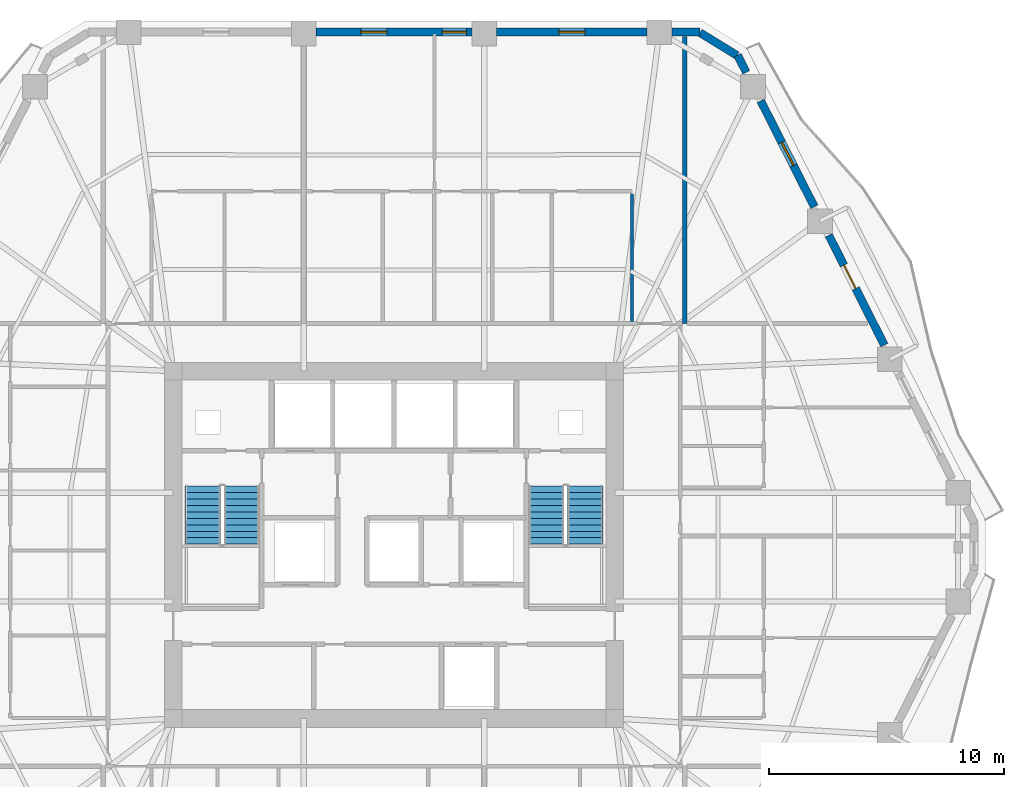
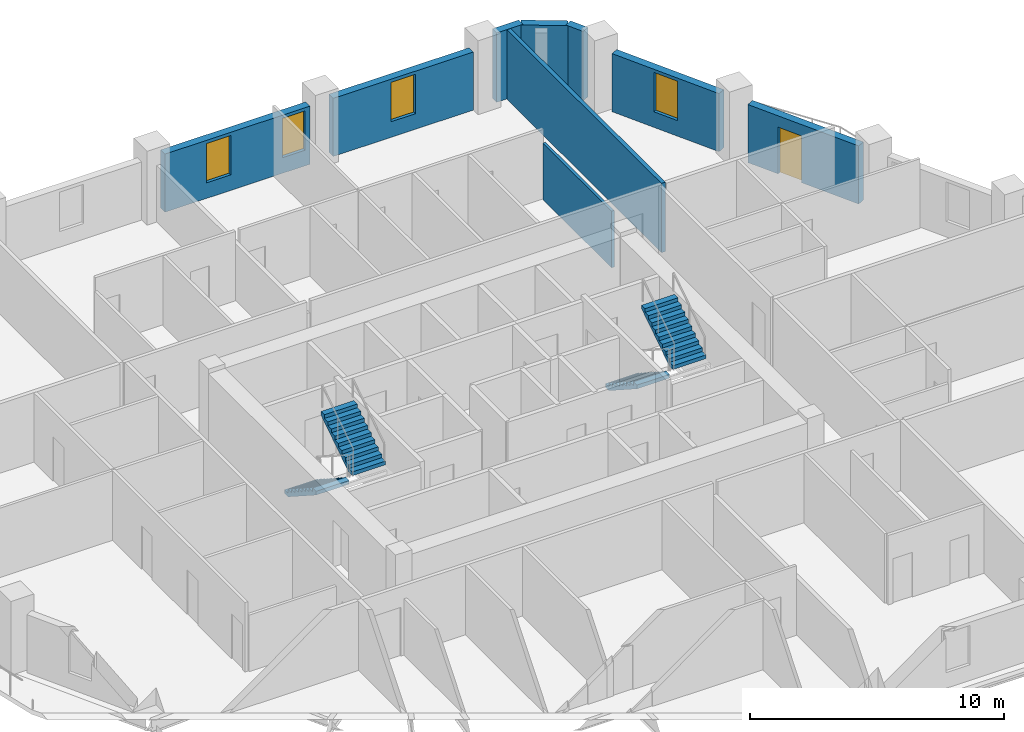
# One storey, part 8 of 11: 9 walls, 4 stair flights, 4 windows, 1 door, 5 openings, 2 elements without a shape of their own.
"""IFC4 building model written with IfcOpenShell, lengths in metres."""

import ifcopenshell
import ifcopenshell.guid

model = None  # the IFC model being written
_history = None  # IfcOwnerHistory: only IFC2X3 demands one
_inside = {}  # id of a spatial element -> (the spatial element, [elements in it])
_under = {}  # id of a project, library or spatial element -> (it, [spatial elements below it])
_declared = {}  # id of a project -> (the project, [libraries it declares])
_typed = {}  # id of a type object -> (the type object, [elements of that type])
_made_of = {}  # id of a material, layer set ... -> (it, [elements and type objects made of it])


def new_model(schema):
    """Start an empty IFC model of exactly this schema.

    Asked for "IFC4X3", IfcOpenShell would pick the latest addendum, in which some entities
    have other attributes; the version numbers below select the first issue.
    IFC2X3 requires an IfcOwnerHistory on every rooted entity: one is made here for all.
    """
    global model, _history
    if schema == "IFC4X3":
        model = ifcopenshell.file(schema_version=(4, 3, 0, 0))
    else:
        model = ifcopenshell.file(schema=schema)
    _inside.clear()
    _under.clear()
    _declared.clear()
    _typed.clear()
    _made_of.clear()
    _history = None
    if model.schema == "IFC2X3":
        org = make("IfcOrganization", Name="unknown")
        user = make(
            "IfcPersonAndOrganization",
            ThePerson=make("IfcPerson", FamilyName="unknown"),
            TheOrganization=org,
        )
        app = make(
            "IfcApplication",
            ApplicationDeveloper=org,
            Version="unknown",
            ApplicationFullName="unknown",
            ApplicationIdentifier="unknown",
        )
        _history = make(
            "IfcOwnerHistory",
            OwningUser=user,
            OwningApplication=app,
            ChangeAction="ADDED",
            CreationDate=0,
        )
    return model


def make(cls, **values):
    """One entity of the class cls with the attributes given. An attribute that is None is left unset."""
    return model.create_entity(
        cls, **{name: value for name, value in values.items() if value is not None}
    )


def rooted(cls, **values):
    """An entity with a GlobalId (a new one), such as an element, a storey or a relation."""
    return make(cls, GlobalId=ifcopenshell.guid.new(), OwnerHistory=_history, **values)


def si_unit(unit_type, name, prefix=None):
    """IfcSIUnit, for example si_unit("LENGTHUNIT", "METRE", prefix="MILLI")."""
    return make("IfcSIUnit", UnitType=unit_type, Prefix=prefix, Name=name)


def assignment(units):
    """IfcUnitAssignment: the units of a project."""
    return None if units is None else make("IfcUnitAssignment", Units=units)


def point(xyz):
    """IfcCartesianPoint."""
    return None if xyz is None else make("IfcCartesianPoint", Coordinates=xyz)


def direction(xyz):
    """IfcDirection."""
    return None if xyz is None else make("IfcDirection", DirectionRatios=xyz)


def frame(location, z_axis=None, x_axis=None):
    """IfcAxis2Placement3D, a coordinate frame: its origin and axes. An axis left out is left unset."""
    return make(
        "IfcAxis2Placement3D",
        Location=point(location),
        Axis=direction(z_axis),
        RefDirection=direction(x_axis),
    )


def frame_2d(location, x_axis=None):
    """IfcAxis2Placement2D, a coordinate frame in the plane: its origin and x axis."""
    return make(
        "IfcAxis2Placement2D", Location=point(location), RefDirection=direction(x_axis)
    )


def origin():
    """The frame at (0, 0, 0) with its axes left unset."""
    return frame((0.0, 0.0, 0.0))


def place(relative_to, where):
    """IfcLocalPlacement: puts the frame where relative to a parent placement (None: the world)."""
    return make(
        "IfcLocalPlacement", PlacementRelTo=relative_to, RelativePlacement=where
    )


def context(
    kind, dimensions, precision=None, world=None, true_north=None, identifier=None
):
    """IfcGeometricRepresentationContext, for example the 3D "Model" context."""
    return make(
        "IfcGeometricRepresentationContext",
        ContextIdentifier=identifier,
        ContextType=kind,
        CoordinateSpaceDimension=dimensions,
        Precision=precision,
        WorldCoordinateSystem=world,
        TrueNorth=true_north,
    )


def subcontext(parent, identifier, kind, view, scale=None):
    """IfcGeometricRepresentationSubContext, for example "Body" below "Model"."""
    return make(
        "IfcGeometricRepresentationSubContext",
        ContextIdentifier=identifier,
        ContextType=kind,
        ParentContext=parent,
        TargetScale=scale,
        TargetView=view,
    )


def project(units=None, contexts=None):
    """IfcProject with its units and contexts."""
    return rooted(
        "IfcProject",
        Name="project",
        RepresentationContexts=contexts,
        UnitsInContext=assignment(units),
    )


def spatial(cls, under=None, at=None, **own):
    """A site, building, storey or space (cls), placed at a placement, below another one or the project."""
    s = rooted(cls, ObjectPlacement=at, **own)
    if under is not None:
        _under.setdefault(under.id(), (under, []))[1].append(s)
    return s


def polyline(points):
    """IfcPolyline through the points."""
    return make("IfcPolyline", Points=[point(p) for p in points])


def profile(cls, at=None, kind="AREA", **sizes):
    """A parametric profile (cls). Its sizes go by their IFC names, for example OverallWidth=200.0."""
    return make(cls, ProfileType=kind, Position=at, **sizes)


def rectangle(**sizes):
    """IfcRectangleProfileDef."""
    return profile("IfcRectangleProfileDef", **sizes)


def outline(outer, holes=None, kind="AREA"):
    """IfcArbitraryClosedProfileDef: a profile drawn as a closed curve; with holes, ...WithVoids."""
    if holes is None:
        return make("IfcArbitraryClosedProfileDef", ProfileType=kind, OuterCurve=outer)
    return make(
        "IfcArbitraryProfileDefWithVoids",
        ProfileType=kind,
        OuterCurve=outer,
        InnerCurves=holes,
    )


def extrude(swept, where, along, depth):
    """IfcExtrudedAreaSolid: the profile swept, set in the frame where, extruded along a direction by depth."""
    return make(
        "IfcExtrudedAreaSolid",
        SweptArea=swept,
        Position=where,
        ExtrudedDirection=direction(along),
        Depth=depth,
    )


def shape(context_of_items, identifier, shape_type, items):
    """IfcShapeRepresentation: the items that make up one representation, for example the "Body"."""
    return make(
        "IfcShapeRepresentation",
        ContextOfItems=context_of_items,
        RepresentationIdentifier=identifier,
        RepresentationType=shape_type,
        Items=items,
    )


def material(Name=None, Category=None):
    """IfcMaterial."""
    return make("IfcMaterial", Name=Name, Category=Category)


def layer(
    of_material, thickness, ventilated=None, Name=None, Category=None, Priority=None
):
    """IfcMaterialLayer: one layer of a wall or slab, of a material (None: an air gap)."""
    return make(
        "IfcMaterialLayer",
        Material=of_material,
        LayerThickness=thickness,
        IsVentilated=ventilated,
        Name=Name,
        Category=Category,
        Priority=Priority,
    )


def layer_set(layers, Name=None):
    """IfcMaterialLayerSet."""
    return make("IfcMaterialLayerSet", MaterialLayers=layers, LayerSetName=Name)


def made_of(thing, what):
    """Note that an element or type object is made of a material, layer set ...; save() writes the relation."""
    if what is not None:
        _made_of.setdefault(what.id(), (what, []))[1].append(thing)
    return thing


def type_object(cls, material=None, **own):
    """A type object (cls), such as IfcWallType, which elements share."""
    return made_of(rooted(cls, **own), material)


def element(
    cls,
    number,
    at=None,
    inside=None,
    cuts=None,
    type_object=None,
    material=None,
    context=None,
    identifier="Body",
    shape_type=None,
    held_by="IfcProductDefinitionShape",
    body=None,
    shapes=None,
    **own,
):
    """One element of the class cls, such as IfcWall. Its Tag is "e" and its number.

    at: its placement. inside: the storey or other place that contains it. cuts: it is an
    opening in that element (IfcRelVoidsElement). A single representation is given by context,
    identifier, shape_type and body (its items); several are given by shapes. held_by: the class
    of the entity that holds the representations. save() writes the other relations.
    """
    e = rooted(cls, Tag="e%d" % number, ObjectPlacement=at, **own)
    if body is not None:
        shapes = [shape(context, identifier, shape_type, body)]
    if shapes is not None:
        e.Representation = make(held_by, Representations=shapes)
    if inside is not None:
        _inside.setdefault(inside.id(), (inside, []))[1].append(e)
    if cuts is not None:
        rooted(
            "IfcRelVoidsElement", RelatingBuildingElement=cuts, RelatedOpeningElement=e
        )
    if type_object is not None:
        _typed.setdefault(type_object.id(), (type_object, []))[1].append(e)
    return made_of(e, material)


def fill(opening, filler):
    """IfcRelFillsElement: the door or window that sits in an opening."""
    return rooted(
        "IfcRelFillsElement",
        RelatingOpeningElement=opening,
        RelatedBuildingElement=filler,
    )


def aggregate(whole, parts):
    """IfcRelAggregates: a whole, such as a stair, and the parts it consists of."""
    return rooted("IfcRelAggregates", RelatingObject=whole, RelatedObjects=parts)


def save(model, path):
    """Write the relations noted so far, then the file.

    IfcRelAggregates (storeys below a building ...), IfcRelContainedInSpatialStructure (elements
    in a storey), IfcRelDefinesByType, IfcRelAssociatesMaterial and IfcRelDeclares: one each for
    every whole, place, type object, material and project.
    """
    for whole, parts in _under.values():
        aggregate(whole, parts)
    for where, things in _inside.values():
        rooted(
            "IfcRelContainedInSpatialStructure",
            RelatedElements=things,
            RelatingStructure=where,
        )
    for kind, things in _typed.values():
        rooted("IfcRelDefinesByType", RelatedObjects=things, RelatingType=kind)
    for what, things in _made_of.values():
        rooted("IfcRelAssociatesMaterial", RelatedObjects=things, RelatingMaterial=what)
    for by, libraries in _declared.values():
        rooted("IfcRelDeclares", RelatingContext=by, RelatedDefinitions=libraries)
    model.write(path)


model = new_model("IFC4")

# Units and contexts
model_context = context("Model", 3, precision=1e-05, world=origin(), true_north=direction((0.0, 1.0)))
body_context = subcontext(model_context, "Body", "Model", "MODEL_VIEW")
ifc_project = project(units=[si_unit("LENGTHUNIT", "METRE"), si_unit("AREAUNIT", "SQUARE_METRE"), si_unit("VOLUMEUNIT", "CUBIC_METRE"), si_unit("PLANEANGLEUNIT", "RADIAN"), si_unit("MASSUNIT", "GRAM", prefix="KILO")], contexts=[model_context])

# Site, building, storey
site_placement = place(None, origin())
site = spatial("IfcSite", under=ifc_project, at=site_placement, CompositionType="ELEMENT")
building_placement = place(site_placement, origin())
building = spatial("IfcBuilding", under=site, at=building_placement, Name="Cinnabar Lancet Tower", CompositionType="ELEMENT")
storey_placement = place(building_placement, frame((0.0, 0.0, 105.5)))
storey = spatial("IfcBuildingStorey", under=building, at=storey_placement, Name="L27", CompositionType="ELEMENT", Elevation=105.5)

# Walls
ifc_material_1 = material(Name="Fire-rated twin-frame acoustic drywall", Category="gypsum")
ifc_layer_1 = layer(ifc_material_1, 0.179931640625)
ifc_layer_set_1 = layer_set([ifc_layer_1], Name="Fire-rated twin-frame acoustic drywall")
wall_type_1 = type_object("IfcWallType", Name="ARC-WL-PARTY-180", PredefinedType="PARTITIONING", material=ifc_layer_set_1)
wall_1_placement = place(storey_placement, frame((44.75, 35.300048828125, 0.0), z_axis=(0.0, 0.0, 1.0), x_axis=(0.0, 1.0, 0.0)))
element("IfcWall", 1, at=wall_1_placement, inside=storey, type_object=wall_type_1, Name="PW-L27-NPTY-448", PredefinedType="PARTITIONING", context=body_context, shape_type="SweptSolid", body=[
    extrude(rectangle(XDim=12.195068359375, YDim=0.179931640625, at=frame_2d((6.09765625, 0.0))), origin(), (0.0, 0.0, 1.0), 3.340087890625),
])
ifc_material_2 = material(Name="Gypsum plasterboard stud partition", Category="gypsum")
ifc_layer_2 = layer(ifc_material_2, 0.125)
ifc_layer_set_2 = layer_set([ifc_layer_2], Name="Gypsum plasterboard stud partition")
wall_type_2 = type_object("IfcWallType", Name="ARC-WL-UNIT-125", PredefinedType="PARTITIONING", material=ifc_layer_set_2)
wall_2_placement = place(storey_placement, frame((42.5, 35.385009765625, 0.0), z_axis=(0.0, 0.0, 1.0), x_axis=(0.0, 1.0, 0.0)))
element("IfcWall", 2, at=wall_2_placement, inside=storey, type_object=wall_type_2, Name="UW-L27-N02-FOYW", PredefinedType="PARTITIONING", context=body_context, shape_type="SweptSolid", body=[
    extrude(rectangle(XDim=5.419921875, YDim=0.125, at=frame_2d((2.7099609375, 0.0))), origin(), (0.0, 0.0, 1.0), 2.721923828125),
])
ifc_material_3 = material(Name="Cinnabar red clay brick", Category="masonry")
ifc_layer_3 = layer(ifc_material_3, 0.340087890625)
ifc_layer_set_3 = layer_set([ifc_layer_3], Name="Cinnabar red clay brick")
wall_type_3 = type_object("IfcWallType", Name="ENV-WL-BRK-RED-340", PredefinedType="STANDARD", material=ifc_layer_set_3)
wall_3_placement = place(storey_placement, frame((46.970947265625, 46.677001953125, 0.0), z_axis=(0.0, 0.0, 1.0), x_axis=(-0.851798915137, 0.523868884523, 0.0)))
element("IfcWall", 3, at=wall_3_placement, inside=storey, type_object=wall_type_3, Name="L27 Chamfered Corner Brick Pier 4.1", PredefinedType="STANDARD", context=body_context, shape_type="SweptSolid", body=[
    extrude(rectangle(XDim=1.847900390625, YDim=0.340087890625, at=frame_2d((0.923828125, 0.0))), origin(), (0.0, 0.0, 1.0), 3.340087890625),
])

# Wall, opening, door
wall_4_placement = place(storey_placement, frame((53.219970703125, 34.382080078125, 0.0), z_axis=(0.0, 0.0, 1.0), x_axis=(-0.451567731634, 0.892236842855, 0.0)))
wall_4 = element("IfcWall", 4, at=wall_4_placement, inside=storey, type_object=wall_type_3, Name="L27 Face 3 Masonry Bay Wall 3", PredefinedType="STANDARD", context=body_context, shape_type="SweptSolid", body=[
    extrude(rectangle(XDim=5.219482421875, YDim=0.340087890625, at=frame_2d((2.60986328125, 0.0))), origin(), (0.0, 0.0, 1.0), 2.797119140625),
])
opening_1_placement = place(wall_4_placement, frame((2.698974609375, 0.0, 0.0)))
opening_1 = element("IfcOpeningElement", 5, at=opening_1_placement, cuts=wall_4, Name="Opening TD-01", PredefinedType="OPENING", context=body_context, shape_type="SweptSolid", body=[
    extrude(rectangle(XDim=1.10009765625, YDim=2.25, at=frame_2d((0.550048828125, 1.125))), frame((0.0, 0.179931640625, 0.0), z_axis=(0.0, -1.0, 0.0), x_axis=(1.0, 0.0, 0.0)), (0.0, 0.0, 1.0), 0.360107421875),
])
ifc_material_4 = material(Name="Thermally broken low-E glazed balcony terrace door", Category="wood")
door_type = type_object("IfcDoorType", Name="ARC-DR-BALC", OperationType="NOTDEFINED", PredefinedType="DOOR", material=ifc_material_4)
door_placement = place(opening_1_placement, origin())
door = element("IfcDoor", 6, at=door_placement, inside=storey, type_object=door_type, Name="L27 Face 3 Glazed Terrace Door", OperationType="SINGLE_SWING_RIGHT", OverallHeight=2.25, OverallWidth=1.10009765625, PredefinedType="DOOR", context=body_context, shape_type="SweptSolid", body=[
    extrude(rectangle(XDim=1.10009765625, YDim=2.25, at=frame_2d((0.550048828125, 1.125))), frame((0.0, 0.02490234375, 0.0), z_axis=(0.0, -1.0, 0.0), x_axis=(1.0, 0.0, 0.0)), (0.0, 0.0, 1.0), 0.050048828125),
])
fill(opening_1, door)

# Wall, opening, window
wall_5_placement = place(storey_placement, frame((50.2509765625, 40.2509765625, 0.0), z_axis=(0.0, 0.0, 1.0), x_axis=(-0.451548465867, 0.892246593142, 0.0)))
wall_5 = element("IfcWall", 7, at=wall_5_placement, inside=storey, type_object=wall_type_3, Name="L27 Face 3 Masonry Bay Wall 4", PredefinedType="STANDARD", context=body_context, shape_type="SweptSolid", body=[
    extrude(rectangle(XDim=5.040283203125, YDim=0.340087890625, at=frame_2d((2.52001953125, 0.0))), origin(), (0.0, 0.0, 1.0), 2.797119140625),
])
opening_2_placement = place(wall_5_placement, frame((1.969970703125, 0.0, 0.75)))
opening_2 = element("IfcOpeningElement", 8, at=opening_2_placement, cuts=wall_5, Name="Opening WN-04", PredefinedType="OPENING", context=body_context, shape_type="SweptSolid", body=[
    extrude(rectangle(XDim=1.10009765625, YDim=1.89697265625, at=frame_2d((0.550048828125, 0.948486328125))), frame((0.0, 0.179931640625, 0.0), z_axis=(0.0, -1.0, 0.0), x_axis=(1.0, 0.0, 0.0)), (0.0, 0.0, 1.0), 0.360107421875),
])
ifc_material_5 = material(Name="Thermally broken bronze-anodized aluminium tall lancet window", Category="aluminium")
window_type = type_object("IfcWindowType", Name="ENV-WN-LANCET-1100", PartitioningType="SINGLE_PANEL", PredefinedType="WINDOW", material=ifc_material_5)
window_1_placement = place(opening_2_placement, origin())
window_1 = element("IfcWindow", 9, at=window_1_placement, inside=storey, type_object=window_type, Name="L27 Face 3 Gothic Lancet Window 4", OverallHeight=1.89697265625, OverallWidth=1.10009765625, PartitioningType="SINGLE_PANEL", PredefinedType="WINDOW", context=body_context, shape_type="SweptSolid", body=[
    extrude(rectangle(XDim=1.10009765625, YDim=1.89697265625, at=frame_2d((0.550048828125, 0.948486328125))), frame((0.0, 0.030029296875, 0.0), z_axis=(0.0, -1.0, 0.0), x_axis=(1.0, 0.0, 0.0)), (0.0, 0.0, 1.0), 0.06005859375),
])
fill(opening_2, window_1)

# Walls
wall_6_placement = place(storey_placement, frame((47.362060546875, 45.9599609375, 0.0), z_axis=(0.0, 0.0, 1.0), x_axis=(-0.45160540153, 0.89221777684, 0.0)))
element("IfcWall", 10, at=wall_6_placement, inside=storey, type_object=wall_type_3, Name="L27 Face 3 Masonry Bay Wall 5", PredefinedType="STANDARD", context=body_context, shape_type="SweptSolid", body=[
    extrude(rectangle(XDim=0.82177734375, YDim=0.340087890625, at=frame_2d((0.410888671875, 0.0))), origin(), (0.0, 0.0, 1.0), 3.340087890625),
])
wall_7_placement = place(storey_placement, frame((45.402099609375, 47.669921875, 0.0), z_axis=(0.0, 0.0, 1.0), x_axis=(-1.0, 0.0, 0.0)))
element("IfcWall", 11, at=wall_7_placement, inside=storey, type_object=wall_type_3, Name="L27 Face 4 Masonry Bay Wall 1", PredefinedType="STANDARD", context=body_context, shape_type="SweptSolid", body=[
    extrude(rectangle(XDim=1.2041015625, YDim=0.340087890625, at=frame_2d((0.60205078125, 0.0))), origin(), (0.0, 0.0, 1.0), 3.340087890625),
])

# Wall, opening, window
wall_8_placement = place(storey_placement, frame((43.139892578125, 47.669921875, 0.0), z_axis=(0.0, 0.0, 1.0), x_axis=(-1.0, 0.0, 0.0)))
wall_8 = element("IfcWall", 12, at=wall_8_placement, inside=storey, type_object=wall_type_3, Name="L27 Face 4 Masonry Bay Wall 2", PredefinedType="STANDARD", context=body_context, shape_type="SweptSolid", body=[
    extrude(rectangle(XDim=6.37890625, YDim=0.340087890625, at=frame_2d((3.189453125, 0.0))), origin(), (0.0, 0.0, 1.0), 2.797119140625),
])
opening_3_placement = place(wall_8_placement, frame((2.638916015625, 0.0, 0.75)))
opening_3 = element("IfcOpeningElement", 13, at=opening_3_placement, cuts=wall_8, Name="Opening WN-04", PredefinedType="OPENING", context=body_context, shape_type="SweptSolid", body=[
    extrude(rectangle(XDim=1.10009765625, YDim=1.89697265625, at=frame_2d((0.550048828125, 0.948486328125))), frame((0.0, 0.179931640625, 0.0), z_axis=(0.0, -1.0, 0.0), x_axis=(1.0, 0.0, 0.0)), (0.0, 0.0, 1.0), 0.360107421875),
])
window_2_placement = place(opening_3_placement, origin())
window_2 = element("IfcWindow", 14, at=window_2_placement, inside=storey, type_object=window_type, Name="L27 Face 4 Gothic Lancet Window 2", OverallHeight=1.89697265625, OverallWidth=1.10009765625, PartitioningType="SINGLE_PANEL", PredefinedType="WINDOW", context=body_context, shape_type="SweptSolid", body=[
    extrude(rectangle(XDim=1.10009765625, YDim=1.89697265625, at=frame_2d((0.550048828125, 0.948486328125))), frame((0.0, 0.030029296875, 0.0), z_axis=(0.0, -1.0, 0.0), x_axis=(1.0, 0.0, 0.0)), (0.0, 0.0, 1.0), 0.06005859375),
])
fill(opening_3, window_2)

# Wall, openings, windows
wall_9_placement = place(storey_placement, frame((35.702880859375, 47.669921875, 0.0), z_axis=(0.0, 0.0, 1.0), x_axis=(-1.0, 0.0, 0.0)))
wall_9 = element("IfcWall", 15, at=wall_9_placement, inside=storey, type_object=wall_type_3, Name="L27 Face 4 Masonry Bay Wall 3", PredefinedType="STANDARD", context=body_context, shape_type="SweptSolid", body=[
    extrude(rectangle(XDim=6.60595703125, YDim=0.340087890625, at=frame_2d((3.302978515625, 0.0))), origin(), (0.0, 0.0, 1.0), 2.797119140625),
])
opening_4_placement = place(wall_9_placement, frame((0.219970703125, 0.0, 0.75)))
opening_4 = element("IfcOpeningElement", 16, at=opening_4_placement, cuts=wall_9, Name="Opening WN-04", PredefinedType="OPENING", context=body_context, shape_type="SweptSolid", body=[
    extrude(rectangle(XDim=1.0400390625, YDim=1.89697265625, at=frame_2d((0.52001953125, 0.948486328125))), frame((0.0, 0.179931640625, 0.0), z_axis=(0.0, -1.0, 0.0), x_axis=(1.0, 0.0, 0.0)), (0.0, 0.0, 1.0), 0.360107421875),
])
opening_5_placement = place(wall_9_placement, frame((3.60498046875, 0.0, 0.75)))
opening_5 = element("IfcOpeningElement", 17, at=opening_5_placement, cuts=wall_9, Name="Opening WN-04", PredefinedType="OPENING", context=body_context, shape_type="SweptSolid", body=[
    extrude(rectangle(XDim=1.10009765625, YDim=1.89697265625, at=frame_2d((0.550048828125, 0.948486328125))), frame((0.0, 0.179931640625, 0.0), z_axis=(0.0, -1.0, 0.0), x_axis=(1.0, 0.0, 0.0)), (0.0, 0.0, 1.0), 0.360107421875),
])
window_3_placement = place(opening_4_placement, origin())
window_3 = element("IfcWindow", 18, at=window_3_placement, inside=storey, type_object=window_type, Name="L27 Face 4 Gothic Lancet Window 3", OverallHeight=1.89697265625, OverallWidth=1.0400390625, PartitioningType="SINGLE_PANEL", PredefinedType="WINDOW", context=body_context, shape_type="SweptSolid", body=[
    extrude(rectangle(XDim=1.0400390625, YDim=1.89697265625, at=frame_2d((0.52001953125, 0.948486328125))), frame((0.0, 0.030029296875, 0.0), z_axis=(0.0, -1.0, 0.0), x_axis=(1.0, 0.0, 0.0)), (0.0, 0.0, 1.0), 0.06005859375),
])
fill(opening_4, window_3)
window_4_placement = place(opening_5_placement, origin())
window_4 = element("IfcWindow", 19, at=window_4_placement, inside=storey, type_object=window_type, Name="L27 Split-Bay Gothic Lancet Window 90", OverallHeight=1.89697265625, OverallWidth=1.10009765625, PartitioningType="SINGLE_PANEL", PredefinedType="WINDOW", context=body_context, shape_type="SweptSolid", body=[
    extrude(rectangle(XDim=1.10009765625, YDim=1.89697265625, at=frame_2d((0.550048828125, 0.948486328125))), frame((0.0, 0.030029296875, 0.0), z_axis=(0.0, -1.0, 0.0), x_axis=(1.0, 0.0, 0.0)), (0.0, 0.0, 1.0), 0.06005859375),
])
fill(opening_5, window_4)

# Stair, stair flights
ifc_material_6 = material(Name="Concrete C40/50", Category="concrete")
stair_type = type_object("IfcStairType", Name="ST-CORE", PredefinedType="HALF_TURN_STAIR", material=ifc_material_6)
stair_1_placement = place(storey_placement, origin())
stair_1 = element("IfcStair", 20, at=stair_1_placement, inside=storey, type_object=stair_type, Name="L27 ST-1", PredefinedType="HALF_TURN_STAIR")
ifc_material_7 = material(Name="Concrete C40/50", Category="concrete")
stair_flight_type = type_object("IfcStairFlightType", Name="FLIGHT-CORE", PredefinedType="STRAIGHT", material=ifc_material_7)
stair_flight_1_placement = place(storey_placement, frame((24.27490234375, 28.39990234375, 0.0), z_axis=(0.0, 0.0, 1.0), x_axis=(0.0, -1.0, 0.0)))
stair_flight_1 = element("IfcStairFlight", 21, at=stair_flight_1_placement, type_object=stair_flight_type, Name="ST-1 flight 1", NumberOfRisers=10, NumberOfTreads=9, PredefinedType="STRAIGHT", RiserHeight=0.1775, TreadLength=0.275, context=body_context, shape_type="SweptSolid", body=[
    extrude(outline(polyline([(0.0, 0.0), (0.0, 0.177490234375), (0.27490234375, 0.177490234375), (0.27490234375, 0.35498046875), (0.550048828125, 0.35498046875), (0.550048828125, 0.532470703125), (0.824951171875, 0.532470703125), (0.824951171875, 0.7099609375), (1.10009765625, 0.7099609375), (1.10009765625, 0.887451171875), (1.375, 0.887451171875), (1.375, 1.06494140625), (1.64990234375, 1.06494140625), (1.64990234375, 1.242431640625), (1.925048828125, 1.242431640625), (1.925048828125, 1.419921875), (2.199951171875, 1.419921875), (2.199951171875, 1.597412109375), (2.47509765625, 1.597412109375), (2.47509765625, 1.77490234375), (2.47509765625, 1.419189453125), (0.2763671875, 0.0), (0.0, 0.0)])), frame((0.0, 0.75, 0.0), z_axis=(0.0, -1.0, 0.0), x_axis=(1.0, 0.0, 0.0)), (0.0, 0.0, 1.0), 1.5),
])
stair_flight_2_placement = place(storey_placement, frame((25.925048828125, 25.925048828125, 1.77490234375), z_axis=(0.0, 0.0, 1.0), x_axis=(0.0, 1.0, 0.0)))
stair_flight_2 = element("IfcStairFlight", 22, at=stair_flight_2_placement, type_object=stair_flight_type, Name="ST-1 flight 2", NumberOfRisers=10, NumberOfTreads=9, PredefinedType="STRAIGHT", RiserHeight=0.1775, TreadLength=0.275, context=body_context, shape_type="SweptSolid", body=[
    extrude(outline(polyline([(0.0, 0.0), (0.0, 0.177490234375), (0.27490234375, 0.177490234375), (0.27490234375, 0.35498046875), (0.550048828125, 0.35498046875), (0.550048828125, 0.532470703125), (0.824951171875, 0.532470703125), (0.824951171875, 0.7099609375), (1.10009765625, 0.7099609375), (1.10009765625, 0.887451171875), (1.375, 0.887451171875), (1.375, 1.06494140625), (1.64990234375, 1.06494140625), (1.64990234375, 1.242431640625), (1.925048828125, 1.242431640625), (1.925048828125, 1.419921875), (2.199951171875, 1.419921875), (2.199951171875, 1.597412109375), (2.47509765625, 1.597412109375), (2.47509765625, 1.77490234375), (2.47509765625, 1.419189453125), (0.2763671875, 0.0), (0.0, 0.0)])), frame((0.0, 0.75, 0.0), z_axis=(0.0, -1.0, 0.0), x_axis=(1.0, 0.0, 0.0)), (0.0, 0.0, 1.0), 1.5),
])
aggregate(stair_1, [stair_flight_1, stair_flight_2])

stair_2_placement = place(storey_placement, origin())
stair_2 = element("IfcStair", 23, at=stair_2_placement, inside=storey, type_object=stair_type, Name="L27 ST-2", PredefinedType="HALF_TURN_STAIR")
stair_flight_3_placement = place(storey_placement, frame((38.875, 28.39990234375, 0.0), z_axis=(0.0, 0.0, 1.0), x_axis=(0.0, -1.0, 0.0)))
stair_flight_3 = element("IfcStairFlight", 24, at=stair_flight_3_placement, type_object=stair_flight_type, Name="ST-2 flight 1", NumberOfRisers=10, NumberOfTreads=9, PredefinedType="STRAIGHT", RiserHeight=0.1775, TreadLength=0.275, context=body_context, shape_type="SweptSolid", body=[
    extrude(outline(polyline([(0.0, 0.0), (0.0, 0.177490234375), (0.27490234375, 0.177490234375), (0.27490234375, 0.35498046875), (0.550048828125, 0.35498046875), (0.550048828125, 0.532470703125), (0.824951171875, 0.532470703125), (0.824951171875, 0.7099609375), (1.10009765625, 0.7099609375), (1.10009765625, 0.887451171875), (1.375, 0.887451171875), (1.375, 1.06494140625), (1.64990234375, 1.06494140625), (1.64990234375, 1.242431640625), (1.925048828125, 1.242431640625), (1.925048828125, 1.419921875), (2.199951171875, 1.419921875), (2.199951171875, 1.597412109375), (2.47509765625, 1.597412109375), (2.47509765625, 1.77490234375), (2.47509765625, 1.419189453125), (0.2763671875, 0.0), (0.0, 0.0)])), frame((0.0, 0.75, 0.0), z_axis=(0.0, -1.0, 0.0), x_axis=(1.0, 0.0, 0.0)), (0.0, 0.0, 1.0), 1.5),
])
stair_flight_4_placement = place(storey_placement, frame((40.52490234375, 25.925048828125, 1.77490234375), z_axis=(0.0, 0.0, 1.0), x_axis=(0.0, 1.0, 0.0)))
stair_flight_4 = element("IfcStairFlight", 25, at=stair_flight_4_placement, type_object=stair_flight_type, Name="ST-2 flight 2", NumberOfRisers=10, NumberOfTreads=9, PredefinedType="STRAIGHT", RiserHeight=0.1775, TreadLength=0.275, context=body_context, shape_type="SweptSolid", body=[
    extrude(outline(polyline([(0.0, 0.0), (0.0, 0.177490234375), (0.27490234375, 0.177490234375), (0.27490234375, 0.35498046875), (0.550048828125, 0.35498046875), (0.550048828125, 0.532470703125), (0.824951171875, 0.532470703125), (0.824951171875, 0.7099609375), (1.10009765625, 0.7099609375), (1.10009765625, 0.887451171875), (1.375, 0.887451171875), (1.375, 1.06494140625), (1.64990234375, 1.06494140625), (1.64990234375, 1.242431640625), (1.925048828125, 1.242431640625), (1.925048828125, 1.419921875), (2.199951171875, 1.419921875), (2.199951171875, 1.597412109375), (2.47509765625, 1.597412109375), (2.47509765625, 1.77490234375), (2.47509765625, 1.419189453125), (0.2763671875, 0.0), (0.0, 0.0)])), frame((0.0, 0.75, 0.0), z_axis=(0.0, -1.0, 0.0), x_axis=(1.0, 0.0, 0.0)), (0.0, 0.0, 1.0), 1.5),
])
aggregate(stair_2, [stair_flight_3, stair_flight_4])

save(model, "model.ifc")
